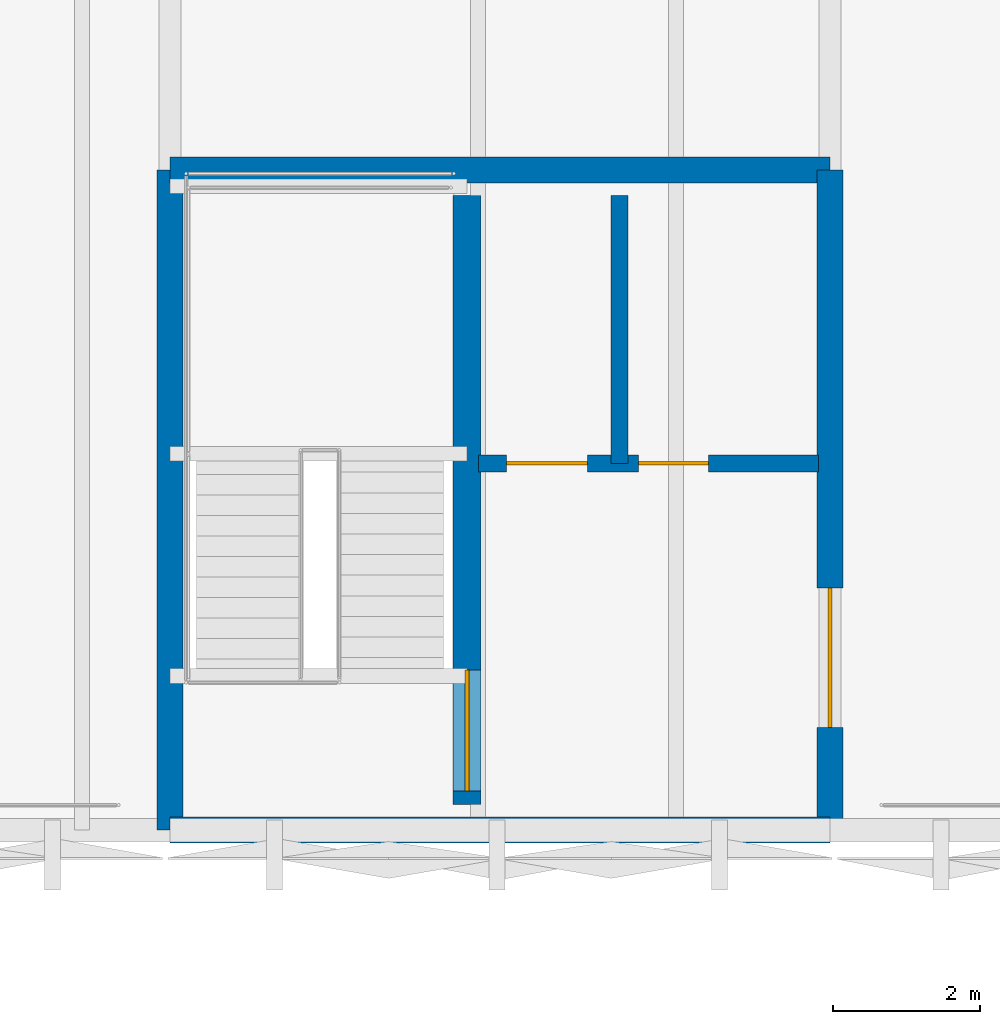
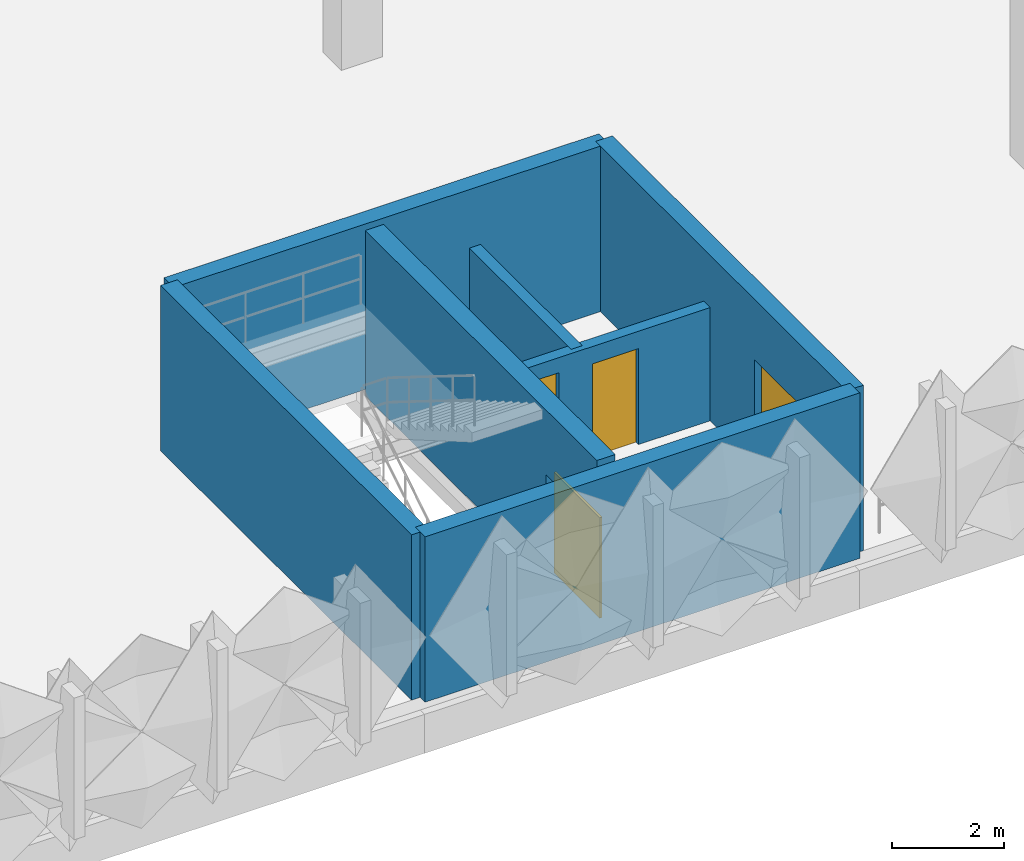
# One storey, part 41 of 83: 7 walls, 4 doors, 4 openings.
"""IFC4 building model written with IfcOpenShell, lengths in metres."""

from ifc_helpers import new_model, si_unit, derived_unit, direction, frame, frame_2d, origin, place, context, subcontext, project, spatial, rectangle, extrude, material, layer, layer_set, type_object, element, fill, save


model = new_model("IFC4")

# Units and contexts
model_context = context("Model", 3, precision=1e-05, world=origin(), true_north=direction((0.0, 1.0)))
body_context = subcontext(model_context, "Body", "Model", "MODEL_VIEW")
ifc_project = project(units=[si_unit("LENGTHUNIT", "METRE"), si_unit("AREAUNIT", "SQUARE_METRE"), si_unit("VOLUMEUNIT", "CUBIC_METRE"), si_unit("PLANEANGLEUNIT", "RADIAN"), si_unit("MASSUNIT", "GRAM", prefix="KILO"), si_unit("THERMODYNAMICTEMPERATUREUNIT", "KELVIN"), derived_unit("THERMALTRANSMITTANCEUNIT", [(si_unit("POWERUNIT", "WATT"), 1), (si_unit("AREAUNIT", "SQUARE_METRE"), -1), (si_unit("THERMODYNAMICTEMPERATUREUNIT", "KELVIN"), -1)])], contexts=[model_context])

# Site, building, storey
site_placement = place(None, origin())
site = spatial("IfcSite", under=ifc_project, at=site_placement, CompositionType="ELEMENT")
building_placement = place(site_placement, origin())
building = spatial("IfcBuilding", under=site, at=building_placement, Name="Haiyu Intermodal Mobility Hub", CompositionType="ELEMENT")
storey_placement = place(building_placement, frame((0.0, 0.0, 13.39990234375)))
storey = spatial("IfcBuildingStorey", under=building, at=storey_placement, Name="L03", CompositionType="ELEMENT", Elevation=13.39990234375)

# Wall
ifc_material_1 = material(Name="Autoclaved aerated concrete block A5.0", Category="concrete")
ifc_layer_1 = layer(ifc_material_1, 0.22998046875)
ifc_layer_set_1 = layer_set([ifc_layer_1], Name="Autoclaved aerated concrete block A5.0")
wall_type_1 = type_object("IfcWallType", Name="WAL-WI01", PredefinedType="PARTITIONING", material=ifc_layer_set_1)
wall_1_placement = place(storey_placement, frame((126.1298828125, 109.0, 0.0), z_axis=(0.0, 0.0, 1.0), x_axis=(0.0, 1.0, 0.0)))
element("IfcWall", 1, at=wall_1_placement, inside=storey, type_object=wall_type_1, Name="WAL-CORE-C6-LSH-L03", PredefinedType="PARTITIONING", context=body_context, shape_type="SweptSolid", body=[
    extrude(rectangle(XDim=3.64990234375, YDim=0.22998046875, at=frame_2d((1.824951171875, 0.0))), origin(), (0.0, 0.0, 1.0), 2.47998046875),
])

# Wall, openings, doors
wall_2_placement = place(storey_placement, frame((124.2099609375, 109.0, 0.0), z_axis=(0.0, 0.0, 1.0), x_axis=(1.0, 0.0, 0.0)))
wall_2 = element("IfcWall", 2, at=wall_2_placement, inside=storey, type_object=wall_type_1, Name="WAL-CORE-C6-LFT-L03", PredefinedType="PARTITIONING", context=body_context, shape_type="SweptSolid", body=[
    extrude(rectangle(XDim=4.630126953125, YDim=0.22998046875, at=frame_2d((2.31494140625, 0.0))), origin(), (0.0, 0.0, 1.0), 2.47998046875),
])
opening_1_placement = place(wall_2_placement, frame((0.3798828125, 0.0, 0.0)))
opening_1 = element("IfcOpeningElement", 3, at=opening_1_placement, cuts=wall_2, Name="Opening LD01", PredefinedType="OPENING", context=body_context, shape_type="SweptSolid", body=[
    extrude(rectangle(XDim=1.10009765625, YDim=2.14990234375, at=frame_2d((0.550048828125, 1.074951171875))), frame((0.0, 0.125, 0.0), z_axis=(0.0, -1.0, 0.0), x_axis=(1.0, 0.0, 0.0)), (0.0, 0.0, 1.0), 0.25),
])
opening_2_placement = place(wall_2_placement, frame((2.179931640625, 0.0, 0.0)))
opening_2 = element("IfcOpeningElement", 4, at=opening_2_placement, cuts=wall_2, Name="Opening DI07", PredefinedType="OPENING", context=body_context, shape_type="SweptSolid", body=[
    extrude(rectangle(XDim=0.949951171875, YDim=2.10009765625, at=frame_2d((0.47509765625, 1.050048828125))), frame((0.0, 0.125, 0.0), z_axis=(0.0, -1.0, 0.0), x_axis=(1.0, 0.0, 0.0)), (0.0, 0.0, 1.0), 0.25),
])
ifc_material_2 = material(Name="Steel Q355C", Category="steel")
door_type_1 = type_object("IfcDoorType", Name="DR-DI07", OperationType="NOTDEFINED", PredefinedType="DOOR", material=ifc_material_2)
door_1_placement = place(opening_2_placement, origin())
door_1 = element("IfcDoor", 5, at=door_1_placement, inside=storey, type_object=door_type_1, Name="Core C6 Accessible WC Door L03", OperationType="SINGLE_SWING_RIGHT", OverallHeight=2.10009765625, OverallWidth=0.949951171875, PredefinedType="DOOR", context=body_context, shape_type="SweptSolid", body=[
    extrude(rectangle(XDim=0.949951171875, YDim=2.10009765625, at=frame_2d((0.47509765625, 1.050048828125))), frame((0.0, 0.02490234375, 0.0), z_axis=(0.0, -1.0, 0.0), x_axis=(1.0, 0.0, 0.0)), (0.0, 0.0, 1.0), 0.050048828125),
])
fill(opening_2, door_1)
door_type_2 = type_object("IfcDoorType", Name="DR-LD01", OperationType="DOUBLE_DOOR_SLIDING", PredefinedType="DOOR", material=ifc_material_2)
door_2_placement = place(opening_1_placement, origin())
door_2 = element("IfcDoor", 6, at=door_2_placement, inside=storey, type_object=door_type_2, Name="Lift FL-03 Sliding Landing Door L03", OperationType="SLIDING_TO_LEFT", OverallHeight=2.14990234375, OverallWidth=1.10009765625, PredefinedType="DOOR", context=body_context, shape_type="SweptSolid", body=[
    extrude(rectangle(XDim=1.10009765625, YDim=2.14990234375, at=frame_2d((0.550048828125, 1.074951171875))), frame((0.0, 0.02490234375, 0.0), z_axis=(0.0, -1.0, 0.0), x_axis=(1.0, 0.0, 0.0)), (0.0, 0.0, 1.0), 0.050048828125),
])
fill(opening_1, door_2)

# Wall
ifc_material_3 = material(Name="Concrete C40", Category="concrete")
ifc_layer_2 = layer(ifc_material_3, 0.35009765625)
ifc_layer_set_2 = layer_set([ifc_layer_2], Name="Concrete C40")
wall_type_2 = type_object("IfcWallType", Name="WAL-WS02", PredefinedType="SHEAR", material=ifc_layer_set_2)
wall_3_placement = place(storey_placement, frame((120.0, 104.0, 0.0), z_axis=(0.0, 0.0, 1.0), x_axis=(1.0, 0.0, 0.0)))
element("IfcWall", 7, at=wall_3_placement, inside=storey, type_object=wall_type_2, Name="WAL-CORE-C6-S-L03", PredefinedType="SHEAR", context=body_context, shape_type="SweptSolid", body=[
    extrude(rectangle(XDim=9.0, YDim=0.35009765625, at=frame_2d((4.5, 0.0))), origin(), (0.0, 0.0, 1.0), 3.6201171875),
])

# Wall, opening, door
wall_4_placement = place(storey_placement, frame((129.0, 104.0, 0.0), z_axis=(0.0, 0.0, 1.0), x_axis=(0.0, 1.0, 0.0)))
wall_4 = element("IfcWall", 8, at=wall_4_placement, inside=storey, type_object=wall_type_2, Name="WAL-CORE-C6-E-L03", PredefinedType="SHEAR", context=body_context, shape_type="SweptSolid", body=[
    extrude(rectangle(XDim=9.0, YDim=0.35009765625, at=frame_2d((4.5, 0.0))), origin(), (0.0, 0.0, 1.0), 3.6201171875),
])
opening_3_placement = place(wall_4_placement, frame((1.39990234375, 0.0, 0.0)))
opening_3 = element("IfcOpeningElement", 9, at=opening_3_placement, cuts=wall_4, Name="Opening DI01", PredefinedType="OPENING", context=body_context, shape_type="SweptSolid", body=[
    extrude(rectangle(XDim=1.89990234375, YDim=2.300048828125, at=frame_2d((0.949951171875, 1.14990234375))), frame((0.0, 0.18505859375, 0.0), z_axis=(0.0, -1.0, 0.0), x_axis=(1.0, 0.0, 0.0)), (0.0, 0.0, 1.0), 0.3701171875),
])
door_type_3 = type_object("IfcDoorType", Name="DR-DI01", OperationType="DOUBLE_DOOR_SINGLE_SWING", PredefinedType="DOOR", material=ifc_material_2)
door_3_placement = place(opening_3_placement, origin())
door_3 = element("IfcDoor", 10, at=door_3_placement, inside=storey, type_object=door_type_3, Name="Core C6 Lobby Fire Door L03", OperationType="SINGLE_SWING_LEFT", OverallHeight=2.300048828125, OverallWidth=1.89990234375, PredefinedType="DOOR", context=body_context, shape_type="SweptSolid", body=[
    extrude(rectangle(XDim=1.89990234375, YDim=2.300048828125, at=frame_2d((0.949951171875, 1.14990234375))), frame((0.0, 0.02490234375, 0.0), z_axis=(0.0, -1.0, 0.0), x_axis=(1.0, 0.0, 0.0)), (0.0, 0.0, 1.0), 0.050048828125),
])
fill(opening_3, door_3)

# Walls
for number, where, z_axis, x_axis, name in (
    (11, (129.0, 113.0, 0.0), (0.0, 0.0, 1.0), (-1.0, 0.0, 0.0), "WAL-CORE-C6-N-L03"),
    (12, (120.0, 113.0, 0.0), (0.0, 0.0, 1.0), (0.0, -1.0, 0.0), "WAL-CORE-C6-W-L03"),
):
    element("IfcWall", number, at=place(storey_placement, frame(where, z_axis=z_axis, x_axis=x_axis)), inside=storey, type_object=wall_type_2, Name=name, PredefinedType="SHEAR", context=body_context, shape_type="SweptSolid", body=[
        extrude(rectangle(XDim=9.0, YDim=0.35009765625, at=frame_2d((4.5, 0.0))), origin(), (0.0, 0.0, 1.0), 3.6201171875),
    ])

# Wall, opening, door
ifc_layer_3 = layer(ifc_material_3, 0.3798828125)
ifc_layer_set_3 = layer_set([ifc_layer_3], Name="Concrete C40")
wall_type_3 = type_object("IfcWallType", Name="WAL-WS03", PredefinedType="SHEAR", material=ifc_layer_set_3)
wall_5_placement = place(storey_placement, frame((124.050048828125, 104.35009765625, 0.0), z_axis=(0.0, 0.0, 1.0), x_axis=(0.0, 1.0, 0.0)))
wall_5 = element("IfcWall", 13, at=wall_5_placement, inside=storey, type_object=wall_type_3, Name="WAL-CORE-C6-MID-L03", PredefinedType="SHEAR", context=body_context, shape_type="SweptSolid", body=[
    extrude(rectangle(XDim=8.2998046875, YDim=0.3798828125, at=frame_2d((4.14990234375, 0.0))), origin(), (0.0, 0.0, 1.0), 3.6201171875),
])
opening_4_placement = place(wall_5_placement, frame((0.179931640625, 0.0, 0.0)))
opening_4 = element("IfcOpeningElement", 14, at=opening_4_placement, cuts=wall_5, Name="Opening DI02", PredefinedType="OPENING", context=body_context, shape_type="SweptSolid", body=[
    extrude(rectangle(XDim=1.64990234375, YDim=2.199951171875, at=frame_2d((0.824951171875, 1.10009765625))), frame((0.0, 0.199951171875, 0.0), z_axis=(0.0, -1.0, 0.0), x_axis=(1.0, 0.0, 0.0)), (0.0, 0.0, 1.0), 0.39990234375),
])
door_type_4 = type_object("IfcDoorType", Name="DR-DI02", OperationType="DOUBLE_DOOR_SINGLE_SWING", PredefinedType="DOOR", material=ifc_material_2)
door_4_placement = place(opening_4_placement, origin())
door_4 = element("IfcDoor", 15, at=door_4_placement, inside=storey, type_object=door_type_4, Name="Stair ST01 Fire Door L03", OperationType="SINGLE_SWING_LEFT", OverallHeight=2.199951171875, OverallWidth=1.64990234375, PredefinedType="DOOR", context=body_context, shape_type="SweptSolid", body=[
    extrude(rectangle(XDim=1.64990234375, YDim=2.199951171875, at=frame_2d((0.824951171875, 1.10009765625))), frame((0.0, 0.02490234375, 0.0), z_axis=(0.0, -1.0, 0.0), x_axis=(1.0, 0.0, 0.0)), (0.0, 0.0, 1.0), 0.050048828125),
])
fill(opening_4, door_4)

save(model, "model.ifc")
